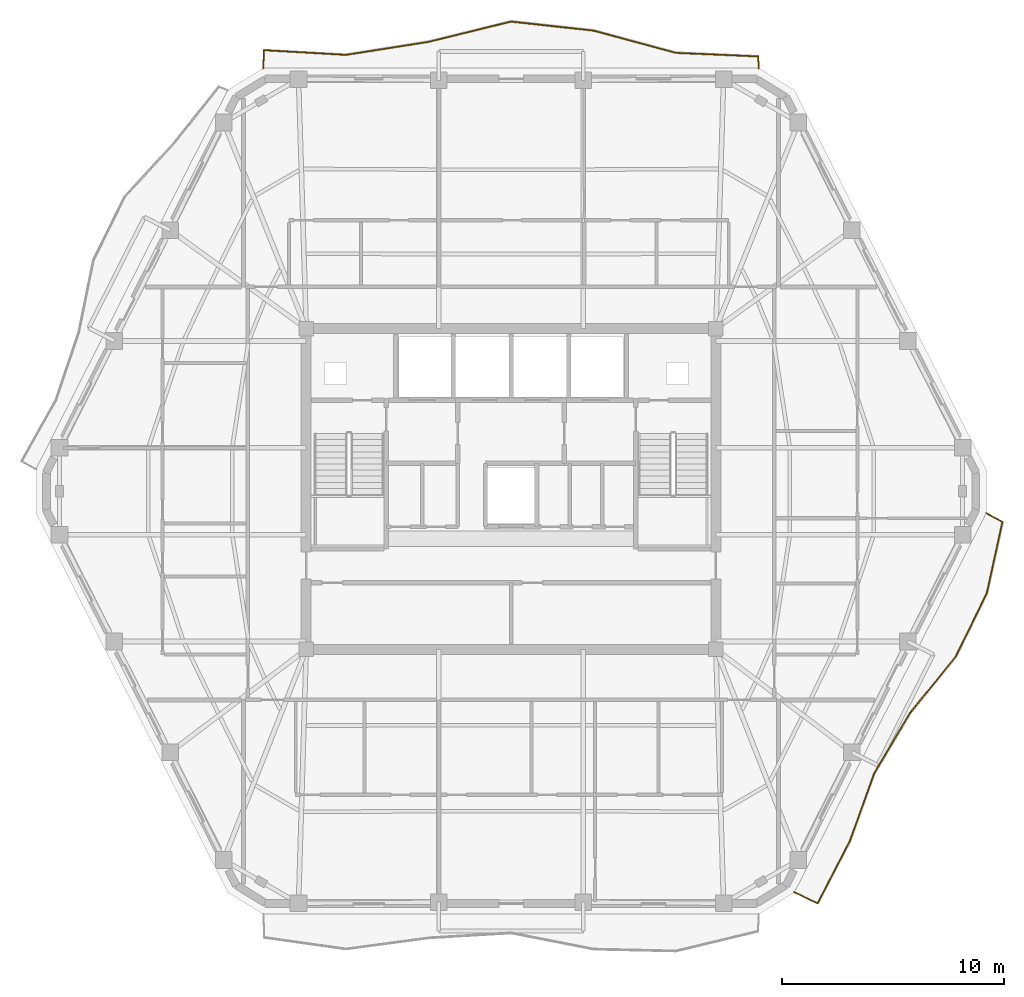
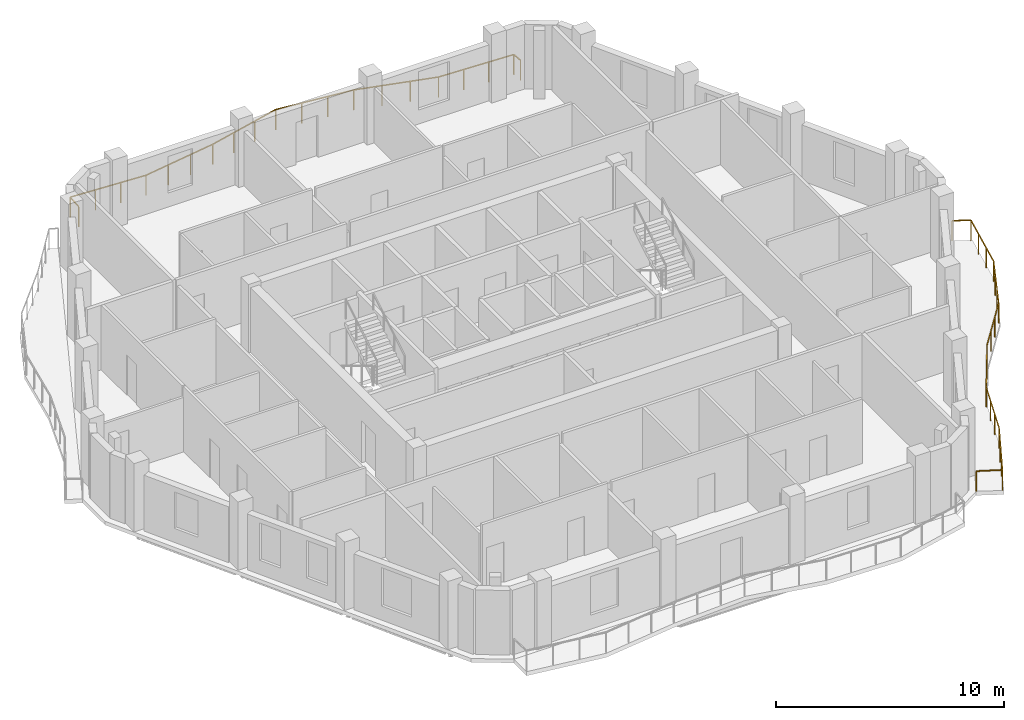
# One storey, part 11 of 11: 2 railings.
"""IFC4 building model written with IfcOpenShell, lengths in metres."""

from ifc_helpers import new_model, si_unit, direction, frame, origin, origin_2d, place, context, subcontext, project, spatial, rectangle, extrude, material, type_object, element, save


model = new_model("IFC4")

# Units and contexts
model_context = context("Model", 3, precision=1e-05, world=origin(), true_north=direction((0.0, 1.0)))
body_context = subcontext(model_context, "Body", "Model", "MODEL_VIEW")
ifc_project = project(units=[si_unit("LENGTHUNIT", "METRE"), si_unit("AREAUNIT", "SQUARE_METRE"), si_unit("VOLUMEUNIT", "CUBIC_METRE"), si_unit("PLANEANGLEUNIT", "RADIAN"), si_unit("MASSUNIT", "GRAM", prefix="KILO")], contexts=[model_context])

# Site, building, storey
site_placement = place(None, origin())
site = spatial("IfcSite", under=ifc_project, at=site_placement, CompositionType="ELEMENT")
building_placement = place(site_placement, origin())
building = spatial("IfcBuilding", under=site, at=building_placement, Name="Cinnabar Lancet Tower", CompositionType="ELEMENT")
storey_placement = place(building_placement, frame((0.0, 0.0, 230.64990234375)))
storey = spatial("IfcBuildingStorey", under=building, at=storey_placement, Name="L61", CompositionType="ELEMENT", Elevation=230.64990234375)

# Railings
ifc_material = material(Name="Laminated safety glass and bronze stainless steel balustrade", Category="steel")
railing_type = type_object("IfcRailingType", Name="ENV-RLG-BAL-1100", PredefinedType="BALUSTRADE", material=ifc_material)
railing_1_placement = place(storey_placement, frame((45.160888671875, 7.73193359375, 0.0)))
element("IfcRailing", 1, at=railing_1_placement, inside=storey, type_object=railing_type, Name="L61 Face 2 Wave Balcony Balustrade", PredefinedType="BALUSTRADE", context=body_context, shape_type="SweptSolid", body=[
    extrude(rectangle(XDim=0.048095703125, YDim=0.048095703125, at=origin_2d()), frame((0.0, 0.0, 1.076171875), z_axis=(0.904305332568, -0.426886244203, 0.0), x_axis=(0.426886244203, 0.904305332568, 0.0)), (0.0, 0.0, 1.0), 1.15478515625),
    extrude(rectangle(XDim=0.048095703125, YDim=0.048095703125, at=origin_2d()), frame((1.044189453125, -0.492919921875, 1.076171875), z_axis=(0.459721362266, 0.88806321232, 0.0), x_axis=(-0.88806321232, 0.459721362266, 0.0)), (0.0, 0.0, 1.0), 3.18212890625),
    extrude(rectangle(XDim=0.048095703125, YDim=0.048095703125, at=origin_2d()), frame((2.507080078125, 2.3330078125, 1.076171875), z_axis=(0.337657273094, 0.941269125132, 0.0), x_axis=(-0.941269125132, 0.337657273094, 0.0)), (0.0, 0.0, 1.0), 3.20751953125),
    extrude(rectangle(XDim=0.048095703125, YDim=0.048095703125, at=origin_2d()), frame((3.590087890625, 5.35205078125, 1.076171875), z_axis=(0.510423720037, 0.859923034942, 0.0), x_axis=(-0.859923034942, 0.510423720037, 0.0)), (0.0, 0.0, 1.0), 3.1875),
    extrude(rectangle(XDim=0.048095703125, YDim=0.048095703125, at=origin_2d()), frame((5.217041015625, 8.093017578125, 1.076171875), z_axis=(0.630143315739, 0.776478848154, 0.0), x_axis=(-0.776478848154, 0.630143315739, 0.0)), (0.0, 0.0, 1.0), 3.25341796875),
    extrude(rectangle(XDim=0.048095703125, YDim=0.048095703125, at=origin_2d()), frame((7.26708984375, 10.619140625, 1.076171875), z_axis=(0.439157859785, 0.898409914342, 0.0), x_axis=(-0.898409914342, 0.439157859785, 0.0)), (0.0, 0.0, 1.0), 3.183349609375),
    extrude(rectangle(XDim=0.048095703125, YDim=0.048095703125, at=origin_2d()), frame((8.6650390625, 13.47900390625, 1.076171875), z_axis=(0.214663264045, 0.976688119652, 0.0), x_axis=(-0.976688119652, 0.214663264045, 0.0)), (0.0, 0.0, 1.0), 3.28466796875),
    extrude(rectangle(XDim=0.048095703125, YDim=0.048095703125, at=origin_2d()), frame((9.3701171875, 16.68701171875, 1.076171875), z_axis=(-0.876848397578, 0.480766978551, 0.0), x_axis=(-0.480766978551, -0.876848397578, 0.0)), (0.0, 0.0, 1.0), 0.830322265625),
    extrude(rectangle(XDim=0.0419921875, YDim=0.0419921875, at=origin_2d()), origin(), (0.0, 0.0, 1.0), 1.052001953125),
    extrude(rectangle(XDim=0.0419921875, YDim=0.0419921875, at=origin_2d()), frame((1.044189453125, -0.492919921875, 0.0)), (0.0, 0.0, 1.0), 1.052001953125),
    extrude(rectangle(XDim=0.0419921875, YDim=0.0419921875, at=origin_2d()), frame((1.53173828125, 0.448974609375, 0.0)), (0.0, 0.0, 1.0), 1.052001953125),
    extrude(rectangle(XDim=0.0419921875, YDim=0.0419921875, at=origin_2d()), frame((2.01953125, 1.39111328125, 0.0)), (0.0, 0.0, 1.0), 1.052001953125),
    extrude(rectangle(XDim=0.0419921875, YDim=0.0419921875, at=origin_2d()), frame((2.507080078125, 2.3330078125, 0.0)), (0.0, 0.0, 1.0), 1.052001953125),
    extrude(rectangle(XDim=0.0419921875, YDim=0.0419921875, at=origin_2d()), frame((2.8681640625, 3.33935546875, 0.0)), (0.0, 0.0, 1.0), 1.052001953125),
    extrude(rectangle(XDim=0.0419921875, YDim=0.0419921875, at=origin_2d()), frame((3.22900390625, 4.345703125, 0.0)), (0.0, 0.0, 1.0), 1.052001953125),
    extrude(rectangle(XDim=0.0419921875, YDim=0.0419921875, at=origin_2d()), frame((3.590087890625, 5.35205078125, 0.0)), (0.0, 0.0, 1.0), 1.052001953125),
    extrude(rectangle(XDim=0.0419921875, YDim=0.0419921875, at=origin_2d()), frame((4.13232421875, 6.265625, 0.0)), (0.0, 0.0, 1.0), 1.052001953125),
    extrude(rectangle(XDim=0.0419921875, YDim=0.0419921875, at=origin_2d()), frame((4.6748046875, 7.179443359375, 0.0)), (0.0, 0.0, 1.0), 1.052001953125),
    extrude(rectangle(XDim=0.0419921875, YDim=0.0419921875, at=origin_2d()), frame((5.217041015625, 8.093017578125, 0.0)), (0.0, 0.0, 1.0), 1.052001953125),
    extrude(rectangle(XDim=0.0419921875, YDim=0.0419921875, at=origin_2d()), frame((5.900390625, 8.93505859375, 0.0)), (0.0, 0.0, 1.0), 1.052001953125),
    extrude(rectangle(XDim=0.0419921875, YDim=0.0419921875, at=origin_2d()), frame((6.583740234375, 9.777099609375, 0.0)), (0.0, 0.0, 1.0), 1.052001953125),
    extrude(rectangle(XDim=0.0419921875, YDim=0.0419921875, at=origin_2d()), frame((7.26708984375, 10.619140625, 0.0)), (0.0, 0.0, 1.0), 1.052001953125),
    extrude(rectangle(XDim=0.0419921875, YDim=0.0419921875, at=origin_2d()), frame((7.733154296875, 11.572509765625, 0.0)), (0.0, 0.0, 1.0), 1.052001953125),
    extrude(rectangle(XDim=0.0419921875, YDim=0.0419921875, at=origin_2d()), frame((8.198974609375, 12.525634765625, 0.0)), (0.0, 0.0, 1.0), 1.052001953125),
    extrude(rectangle(XDim=0.0419921875, YDim=0.0419921875, at=origin_2d()), frame((8.6650390625, 13.47900390625, 0.0)), (0.0, 0.0, 1.0), 1.052001953125),
    extrude(rectangle(XDim=0.0419921875, YDim=0.0419921875, at=origin_2d()), frame((8.900146484375, 14.54833984375, 0.0)), (0.0, 0.0, 1.0), 1.052001953125),
    extrude(rectangle(XDim=0.0419921875, YDim=0.0419921875, at=origin_2d()), frame((9.135009765625, 15.61767578125, 0.0)), (0.0, 0.0, 1.0), 1.052001953125),
    extrude(rectangle(XDim=0.0419921875, YDim=0.0419921875, at=origin_2d()), frame((9.3701171875, 16.68701171875, 0.0)), (0.0, 0.0, 1.0), 1.052001953125),
    extrude(rectangle(XDim=0.0419921875, YDim=0.0419921875, at=origin_2d()), frame((8.64208984375, 17.086181640625, 0.0)), (0.0, 0.0, 1.0), 1.052001953125),
])
railing_2_placement = place(storey_placement, frame((43.56396484375, 44.85009765625, 0.0)))
element("IfcRailing", 2, at=railing_2_placement, inside=storey, type_object=railing_type, Name="L61 Face 4 Wave Balcony Balustrade", PredefinedType="BALUSTRADE", context=body_context, shape_type="SweptSolid", body=[
    extrude(rectangle(XDim=0.048095703125, YDim=0.048095703125, at=origin_2d()), frame((0.0, 0.0, 1.076171875), z_axis=(-0.065485568085, 0.997853516491, 0.0), x_axis=(-0.997853516491, -0.065485568085, 0.0)), (0.0, 0.0, 1.0), 0.533203125),
    extrude(rectangle(XDim=0.048095703125, YDim=0.048095703125, at=origin_2d()), frame((-0.034912109375, 0.531982421875, 1.076171875), z_axis=(-0.999061483453, 0.043314573526, 0.0), x_axis=(-0.043314573526, -0.999061483453, 0.0)), (0.0, 0.0, 1.0), 3.71435546875),
    extrude(rectangle(XDim=0.048095703125, YDim=0.048095703125, at=origin_2d()), frame((-3.745849609375, 0.69287109375, 1.076171875), z_axis=(-0.965398853627, 0.260777785512, 0.0), x_axis=(-0.260777785512, -0.965398853627, 0.0)), (0.0, 0.0, 1.0), 3.84228515625),
    extrude(rectangle(XDim=0.048095703125, YDim=0.048095703125, at=origin_2d()), frame((-7.455078125, 1.69482421875, 1.076171875), z_axis=(-0.994033619236, 0.109074120805, 0.0), x_axis=(-0.109074120805, -0.994033619236, 0.0)), (0.0, 0.0, 1.0), 3.731201171875),
    extrude(rectangle(XDim=0.048095703125, YDim=0.048095703125, at=origin_2d()), frame((-11.1640625, 2.101806640625, 1.076171875), z_axis=(-0.971008715056, -0.239044086489, 0.0), x_axis=(0.239044086489, -0.971008715056, 0.0)), (0.0, 0.0, 1.0), 3.818603515625),
    extrude(rectangle(XDim=0.048095703125, YDim=0.048095703125, at=origin_2d()), frame((-14.8720703125, 1.18896484375, 1.076171875), z_axis=(-0.987746621962, -0.156066046284, 0.0), x_axis=(0.156066046284, -0.987746621962, 0.0)), (0.0, 0.0, 1.0), 3.756103515625),
    extrude(rectangle(XDim=0.048095703125, YDim=0.048095703125, at=origin_2d()), frame((-18.58203125, 0.602783203125, 1.076171875), z_axis=(-0.998385515933, 0.056801070197, 0.0), x_axis=(-0.056801070197, -0.998385515933, 0.0)), (0.0, 0.0, 1.0), 3.718017578125),
    extrude(rectangle(XDim=0.048095703125, YDim=0.048095703125, at=origin_2d()), frame((-22.2939453125, 0.81396484375, 1.076171875), z_axis=(-0.041655474724, -0.99913203403, 0.0), x_axis=(0.99913203403, -0.041655474724, 0.0)), (0.0, 0.0, 1.0), 0.814697265625),
    extrude(rectangle(XDim=0.0419921875, YDim=0.0419921875, at=origin_2d()), origin(), (0.0, 0.0, 1.0), 1.052001953125),
    extrude(rectangle(XDim=0.0419921875, YDim=0.0419921875, at=origin_2d()), frame((-0.034912109375, 0.531982421875, 0.0)), (0.0, 0.0, 1.0), 1.052001953125),
    extrude(rectangle(XDim=0.0419921875, YDim=0.0419921875, at=origin_2d()), frame((-1.27197265625, 0.585693359375, 0.0)), (0.0, 0.0, 1.0), 1.052001953125),
    extrude(rectangle(XDim=0.0419921875, YDim=0.0419921875, at=origin_2d()), frame((-2.5087890625, 0.63916015625, 0.0)), (0.0, 0.0, 1.0), 1.052001953125),
    extrude(rectangle(XDim=0.0419921875, YDim=0.0419921875, at=origin_2d()), frame((-3.745849609375, 0.69287109375, 0.0)), (0.0, 0.0, 1.0), 1.052001953125),
    extrude(rectangle(XDim=0.0419921875, YDim=0.0419921875, at=origin_2d()), frame((-4.982177734375, 1.02685546875, 0.0)), (0.0, 0.0, 1.0), 1.052001953125),
    extrude(rectangle(XDim=0.0419921875, YDim=0.0419921875, at=origin_2d()), frame((-6.21875, 1.36083984375, 0.0)), (0.0, 0.0, 1.0), 1.052001953125),
    extrude(rectangle(XDim=0.0419921875, YDim=0.0419921875, at=origin_2d()), frame((-7.455078125, 1.69482421875, 0.0)), (0.0, 0.0, 1.0), 1.052001953125),
    extrude(rectangle(XDim=0.0419921875, YDim=0.0419921875, at=origin_2d()), frame((-8.69140625, 1.83056640625, 0.0)), (0.0, 0.0, 1.0), 1.052001953125),
    extrude(rectangle(XDim=0.0419921875, YDim=0.0419921875, at=origin_2d()), frame((-9.927734375, 1.966064453125, 0.0)), (0.0, 0.0, 1.0), 1.052001953125),
    extrude(rectangle(XDim=0.0419921875, YDim=0.0419921875, at=origin_2d()), frame((-11.1640625, 2.101806640625, 0.0)), (0.0, 0.0, 1.0), 1.052001953125),
    extrude(rectangle(XDim=0.0419921875, YDim=0.0419921875, at=origin_2d()), frame((-12.400146484375, 1.797607421875, 0.0)), (0.0, 0.0, 1.0), 1.052001953125),
    extrude(rectangle(XDim=0.0419921875, YDim=0.0419921875, at=origin_2d()), frame((-13.635986328125, 1.4931640625, 0.0)), (0.0, 0.0, 1.0), 1.052001953125),
    extrude(rectangle(XDim=0.0419921875, YDim=0.0419921875, at=origin_2d()), frame((-14.8720703125, 1.18896484375, 0.0)), (0.0, 0.0, 1.0), 1.052001953125),
    extrude(rectangle(XDim=0.0419921875, YDim=0.0419921875, at=origin_2d()), frame((-16.108642578125, 0.99365234375, 0.0)), (0.0, 0.0, 1.0), 1.052001953125),
    extrude(rectangle(XDim=0.0419921875, YDim=0.0419921875, at=origin_2d()), frame((-17.345458984375, 0.798095703125, 0.0)), (0.0, 0.0, 1.0), 1.052001953125),
    extrude(rectangle(XDim=0.0419921875, YDim=0.0419921875, at=origin_2d()), frame((-18.58203125, 0.602783203125, 0.0)), (0.0, 0.0, 1.0), 1.052001953125),
    extrude(rectangle(XDim=0.0419921875, YDim=0.0419921875, at=origin_2d()), frame((-19.8193359375, 0.673095703125, 0.0)), (0.0, 0.0, 1.0), 1.052001953125),
    extrude(rectangle(XDim=0.0419921875, YDim=0.0419921875, at=origin_2d()), frame((-21.056640625, 0.74365234375, 0.0)), (0.0, 0.0, 1.0), 1.052001953125),
    extrude(rectangle(XDim=0.0419921875, YDim=0.0419921875, at=origin_2d()), frame((-22.2939453125, 0.81396484375, 0.0)), (0.0, 0.0, 1.0), 1.052001953125),
    extrude(rectangle(XDim=0.0419921875, YDim=0.0419921875, at=origin_2d()), frame((-22.327880859375, 0.0, 0.0)), (0.0, 0.0, 1.0), 1.052001953125),
])

save(model, "model.ifc")
